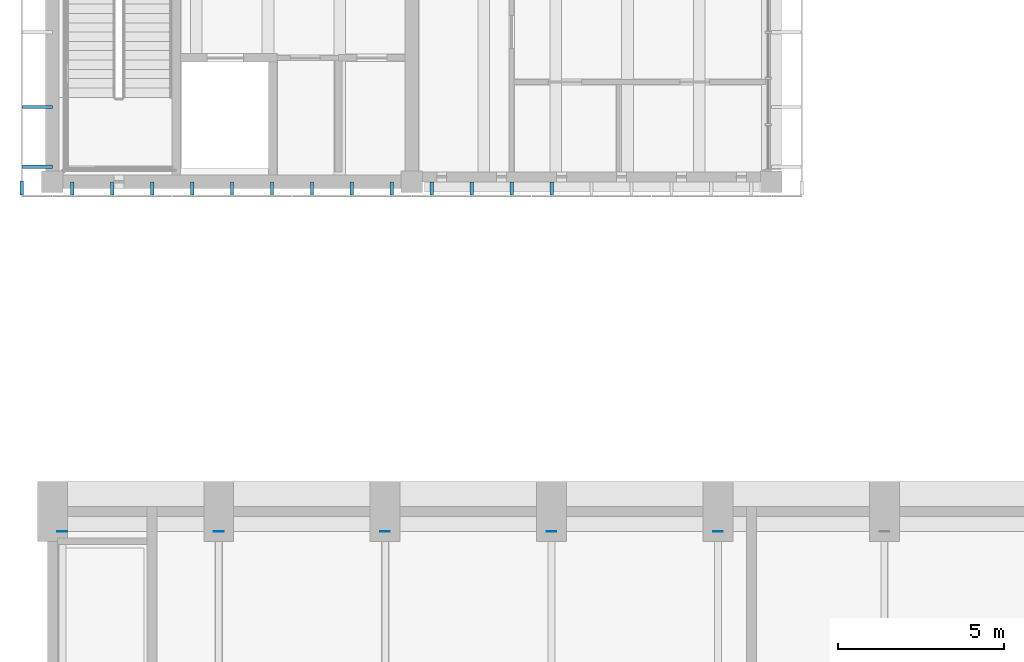
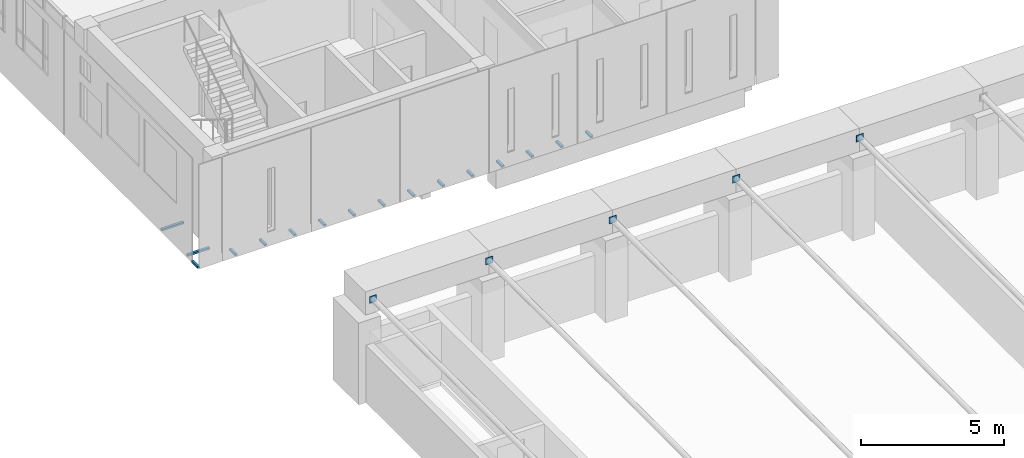
# One storey, part 64 of 92: 21 discrete accessories.
"""IFC4 building model written with IfcOpenShell, lengths in metres."""

from ifc_helpers import new_model, si_unit, direction, frame, origin, place, context, subcontext, project, spatial, polyline, outline, extrude, source, transform, mapped, material, layer, layer_set, type_object, element, save


model = new_model("IFC4")

# Units and contexts
model_context = context("Model", 3, precision=1e-05, world=origin(), true_north=direction((0.0, 1.0)))
body_context = subcontext(model_context, "Body", "Model", "MODEL_VIEW")
ifc_project = project(units=[si_unit("LENGTHUNIT", "METRE"), si_unit("AREAUNIT", "SQUARE_METRE"), si_unit("VOLUMEUNIT", "CUBIC_METRE"), si_unit("PLANEANGLEUNIT", "RADIAN"), si_unit("MASSUNIT", "GRAM", prefix="KILO")], contexts=[model_context])

# Site, building, storey
site_placement = place(None, origin())
site = spatial("IfcSite", under=ifc_project, at=site_placement, CompositionType="ELEMENT")
building_placement = place(site_placement, origin())
building = spatial("IfcBuilding", under=site, at=building_placement, Name="Merrow Basin Faculty of Sciences", CompositionType="ELEMENT")
storey_placement = place(building_placement, frame((0.0, 0.0, 4.5)))
storey = spatial("IfcBuildingStorey", under=building, at=storey_placement, Name="L01", CompositionType="ELEMENT", Elevation=4.5)

# Discrete accessories
ifc_material_1 = material(Name="Steel ASTM A572 Gr 50", Category="steel")
discrete_accessory_type_1 = type_object("IfcDiscreteAccessoryType", Name="Steel T bracket 100 x 80", PredefinedType="BRACKET", material=ifc_material_1)
shared_shape_1 = source(origin(), body_context, "Body", "SweptSolid", [
    extrude(outline(polyline([(0.0, 0.0), (0.10009765625, 0.0), (0.10009765625, 0.080078125), (0.0, 0.080078125), (0.0, 0.0)])), origin(), (0.0, 0.0, 1.0), 0.89990234375),
])
for number, where, z_axis, x_axis, name in (
    (1, (-0.89990234375, 61.39990234375, -0.2900390625), (1.0, 0.0, 0.0), (0.0, 1.0, 0.0), "Bracket WL01-01"),
    (2, (-0.89990234375, 63.199951171875, -0.2900390625), (1.0, 0.0, 0.0), (0.0, 1.0, 0.0), "Bracket WL01-01"),
):
    element("IfcDiscreteAccessory", number, at=place(storey_placement, frame(where, z_axis=z_axis, x_axis=x_axis)), inside=storey, type_object=discrete_accessory_type_1, Name=name, PredefinedType="BRACKET", context=body_context, shape_type="MappedRepresentation", body=[
        mapped(shared_shape_1, transform((0.0, 0.0, 0.0), scale=1.0)),
    ])
ifc_material_2 = material(Name="Steel ASTM A572 Gr 50", Category="steel")
discrete_accessory_type_2 = type_object("IfcDiscreteAccessoryType", Name="Steel T bracket 100 x 80 corner", PredefinedType="BRACKET", material=ifc_material_2)
shared_shape_2 = source(origin(), body_context, "Body", "SweptSolid", [
    extrude(outline(polyline([(0.0, 0.0), (0.10009765625, 0.0), (0.10009765625, 0.080078125), (0.0, 0.080078125), (0.0, 0.0)])), origin(), (0.0, 0.0, 1.0), 0.419921875),
])
discrete_accessory_placement = place(storey_placement, frame((-0.8701171875, 60.60009765625, -0.2900390625), z_axis=(0.0, 1.0, 0.0), x_axis=(-1.0, 0.0, 0.0)))
element("IfcDiscreteAccessory", 3, at=discrete_accessory_placement, inside=storey, type_object=discrete_accessory_type_2, Name="End corner bracket SL01-01", PredefinedType="BRACKET", context=body_context, shape_type="MappedRepresentation", body=[
    mapped(shared_shape_2, transform((0.0, 0.0, 0.0), scale=1.0)),
])
ifc_material_3 = material(Name="Steel ASTM A572 Gr 50", Category="steel")
discrete_accessory_type_3 = type_object("IfcDiscreteAccessoryType", Name="Steel T bracket 100 x 80 short", PredefinedType="BRACKET", material=ifc_material_3)
shared_shape_3 = source(origin(), body_context, "Body", "SweptSolid", [
    extrude(outline(polyline([(0.0, 0.0), (0.10009765625, 0.0), (0.10009765625, 0.080078125), (0.0, 0.080078125), (0.0, 0.0)])), origin(), (0.0, 0.0, 1.0), 0.39990234375),
])
for number, where, z_axis, x_axis, name in (
    (4, (0.64990234375, 60.60009765625, -0.2900390625), (0.0, 1.0, 0.0), (-1.0, 0.0, 0.0), "End bracket SL01-02-1"),
    (5, (1.85009765625, 60.60009765625, -0.2900390625), (0.0, 1.0, 0.0), (-1.0, 0.0, 0.0), "End bracket SL01-02-2"),
    (6, (3.050048828125, 60.60009765625, -0.2900390625), (0.0, 1.0, 0.0), (-1.0, 0.0, 0.0), "End bracket SL01-02-3"),
    (7, (4.25, 60.60009765625, -0.2900390625), (0.0, 1.0, 0.0), (-1.0, 0.0, 0.0), "End bracket SL01-03-1"),
    (8, (5.449951171875, 60.60009765625, -0.2900390625), (0.0, 1.0, 0.0), (-1.0, 0.0, 0.0), "End bracket SL01-03-2"),
    (9, (6.64990234375, 60.60009765625, -0.2900390625), (0.0, 1.0, 0.0), (-1.0, 0.0, 0.0), "End bracket SL01-03-3"),
    (10, (7.85009765625, 60.60009765625, -0.2900390625), (0.0, 1.0, 0.0), (-1.0, 0.0, 0.0), "End bracket SL01-04-1"),
    (11, (9.050048828125, 60.60009765625, -0.2900390625), (0.0, 1.0, 0.0), (-1.0, 0.0, 0.0), "End bracket SL01-04-2"),
    (12, (10.25, 60.60009765625, -0.2900390625), (0.0, 1.0, 0.0), (-1.0, 0.0, 0.0), "End bracket SL01-04-3"),
    (13, (11.449951171875, 60.60009765625, -0.2900390625), (0.0, 1.0, 0.0), (-1.0, 0.0, 0.0), "End bracket SL01-05-1"),
    (14, (12.64990234375, 60.60009765625, -0.2900390625), (0.0, 1.0, 0.0), (-1.0, 0.0, 0.0), "End bracket SL01-05-2"),
    (15, (13.85009765625, 60.60009765625, -0.2900390625), (0.0, 1.0, 0.0), (-1.0, 0.0, 0.0), "End bracket SL01-05-3"),
    (16, (15.050048828125, 60.60009765625, -0.2900390625), (0.0, 1.0, 0.0), (-1.0, 0.0, 0.0), "End bracket SL01-06-1"),
):
    element("IfcDiscreteAccessory", number, at=place(storey_placement, frame(where, z_axis=z_axis, x_axis=x_axis)), inside=storey, type_object=discrete_accessory_type_3, Name=name, PredefinedType="BRACKET", context=body_context, shape_type="MappedRepresentation", body=[
        mapped(shared_shape_3, transform((0.0, 0.0, 0.0), scale=1.0)),
    ])
ifc_material_4 = material(Name="Steel ASTM A572 Gr 50", Category="steel")
ifc_layer = layer(ifc_material_4, 0.01611328125)
ifc_layer_set = layer_set([ifc_layer], Name="Steel end plate 289 x 289 x 16")
discrete_accessory_type_4 = type_object("IfcDiscreteAccessoryType", Name="Steel end plate 289 x 289 x 16", PredefinedType="ANCHORPLATE", material=ifc_layer_set)
shared_shape_4 = source(origin(), body_context, "Body", "SweptSolid", [
    extrude(outline(polyline([(0.0, 0.0), (0.2890625, 0.0), (0.2890625, 0.2890625), (0.0, 0.2890625), (0.0, 0.0)])), origin(), (0.0, 0.0, 1.0), 0.01611328125),
])
for number, where, z_axis, x_axis, name in (
    (17, (0.445068359375, 50.48388671875, 3.955078125), (0.0, 1.0, 0.0), (-1.0, 0.0, 0.0), "End plate Tie A end"),
    (18, (5.14501953125, 50.48388671875, 3.955078125), (0.0, 1.0, 0.0), (-1.0, 0.0, 0.0), "End plate Tie K end"),
    (19, (10.14501953125, 50.48388671875, 3.955078125), (0.0, 1.0, 0.0), (-1.0, 0.0, 0.0), "End plate Tie L end"),
    (20, (15.14501953125, 50.48388671875, 3.955078125), (0.0, 1.0, 0.0), (-1.0, 0.0, 0.0), "End plate Tie M end"),
    (21, (20.14501953125, 50.48388671875, 3.955078125), (0.0, 1.0, 0.0), (-1.0, 0.0, 0.0), "End plate Tie N end"),
):
    element("IfcDiscreteAccessory", number, at=place(storey_placement, frame(where, z_axis=z_axis, x_axis=x_axis)), inside=storey, type_object=discrete_accessory_type_4, Name=name, PredefinedType="ANCHORPLATE", context=body_context, shape_type="MappedRepresentation", body=[
        mapped(shared_shape_4, transform((0.0, 0.0, 0.0), scale=1.0)),
    ])

save(model, "model.ifc")
